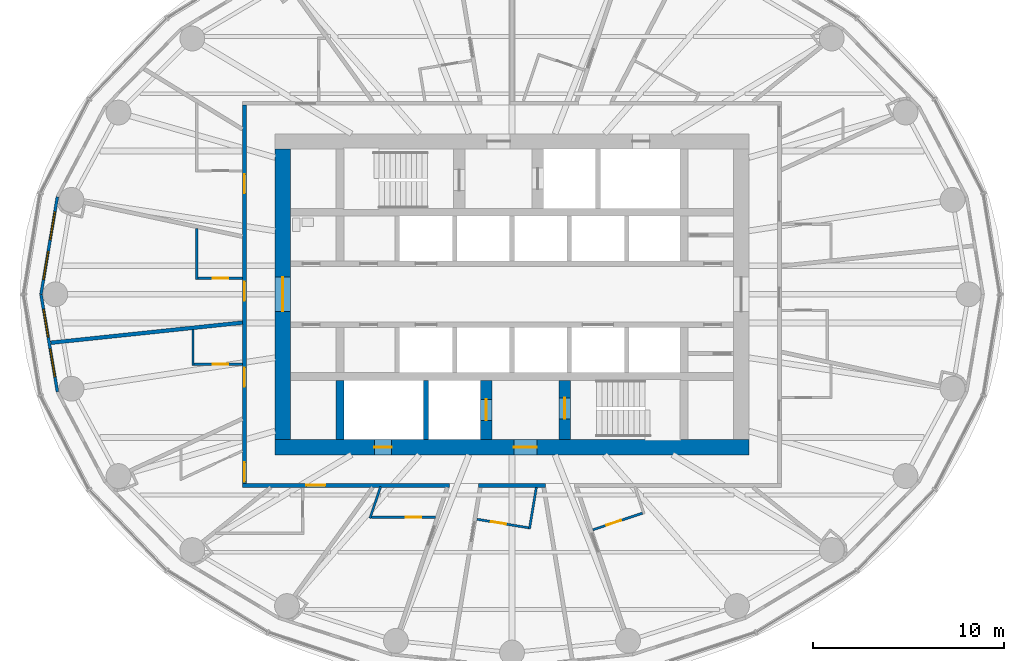
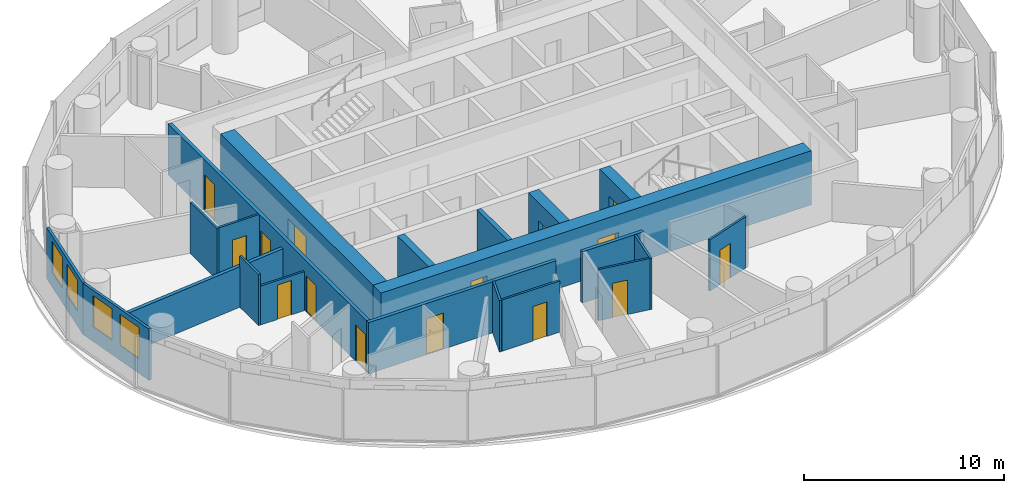
# One storey, part 7 of 14: 21 walls, 15 doors, 4 windows, 19 openings.
"""IFC4 building model written with IfcOpenShell, lengths in metres."""

from ifc_helpers import new_model, si_unit, direction, frame, frame_2d, origin, place, context, subcontext, project, spatial, rectangle, extrude, material, layer, layer_set, type_object, element, fill, save


model = new_model("IFC4")

# Units and contexts
model_context = context("Model", 3, precision=1e-05, world=origin(), true_north=direction((0.0, 1.0)))
body_context = subcontext(model_context, "Body", "Model", "MODEL_VIEW")
ifc_project = project(units=[si_unit("LENGTHUNIT", "METRE"), si_unit("AREAUNIT", "SQUARE_METRE"), si_unit("VOLUMEUNIT", "CUBIC_METRE"), si_unit("PLANEANGLEUNIT", "RADIAN"), si_unit("MASSUNIT", "GRAM", prefix="KILO")], contexts=[model_context])

# Site, building, storey
site_placement = place(None, origin())
site = spatial("IfcSite", under=ifc_project, at=site_placement, CompositionType="ELEMENT")
building_placement = place(site_placement, origin())
building = spatial("IfcBuilding", under=site, at=building_placement, Name="Hankou Lantern Tower", CompositionType="ELEMENT")
storey_placement = place(building_placement, frame((0.0, 0.0, 112.199951171875)))
storey = spatial("IfcBuildingStorey", under=building, at=storey_placement, Name="L28", CompositionType="ELEMENT", Elevation=112.199951171875)

# Wall, openings, doors
ifc_material_1 = material(Name="Concrete C60", Category="concrete")
ifc_layer_1 = layer(ifc_material_1, 0.800048828125)
ifc_layer_set_1 = layer_set([ifc_layer_1], Name="Concrete C60")
wall_type_1 = type_object("IfcWallType", Name="CW2 CORE WALL 800", PredefinedType="SHEAR", material=ifc_layer_set_1)
wall_1_placement = place(storey_placement, frame((12.39990234375, -8.0, 0.0), z_axis=(0.0, 0.0, 1.0), x_axis=(-1.0, 0.0, 0.0)))
wall_1 = element("IfcWall", 1, at=wall_1_placement, inside=storey, type_object=wall_type_1, Name="Core wall south L28", PredefinedType="SHEAR", context=body_context, shape_type="SweptSolid", body=[
    extrude(rectangle(XDim=24.7998046875, YDim=0.800048828125, at=frame_2d((12.39990234375, 0.0))), origin(), (0.0, 0.0, 1.0), 3.300048828125),
])
opening_1_placement = place(wall_1_placement, frame((11.10009765625, 0.0, 0.0)))
opening_1 = element("IfcOpeningElement", 2, at=opening_1_placement, cuts=wall_1, Name="Opening D5", PredefinedType="OPENING", context=body_context, shape_type="SweptSolid", body=[
    extrude(rectangle(XDim=1.199951171875, YDim=2.199951171875, at=frame_2d((0.60009765625, 1.10009765625))), frame((0.0, 0.409912109375, 0.0), z_axis=(0.0, -1.0, 0.0), x_axis=(1.0, 0.0, 0.0)), (0.0, 0.0, 1.0), 0.820068359375),
])
opening_2_placement = place(wall_1_placement, frame((18.699951171875, 0.0, 0.0)))
opening_2 = element("IfcOpeningElement", 3, at=opening_2_placement, cuts=wall_1, Name="Opening D7", PredefinedType="OPENING", context=body_context, shape_type="SweptSolid", body=[
    extrude(rectangle(XDim=0.89990234375, YDim=2.199951171875, at=frame_2d((0.449951171875, 1.10009765625))), frame((0.0, 0.409912109375, 0.0), z_axis=(0.0, -1.0, 0.0), x_axis=(1.0, 0.0, 0.0)), (0.0, 0.0, 1.0), 0.820068359375),
])
ifc_material_2 = material(Name="Steel door leaf", Category="steel")
door_type_1 = type_object("IfcDoorType", Name="D5 STAIR LOBBY DOOR 1200X2200", OperationType="SINGLE_SWING_LEFT", PredefinedType="DOOR", material=ifc_material_2)
door_1_placement = place(opening_1_placement, origin())
door_1 = element("IfcDoor", 4, at=door_1_placement, inside=storey, type_object=door_type_1, Name="Stair B lobby door", OperationType="SINGLE_SWING_LEFT", OverallHeight=2.199951171875, OverallWidth=1.199951171875, PredefinedType="DOOR", context=body_context, shape_type="SweptSolid", body=[
    extrude(rectangle(XDim=1.199951171875, YDim=2.199951171875, at=frame_2d((0.60009765625, 1.10009765625))), frame((0.0, 0.02490234375, 0.0), z_axis=(0.0, -1.0, 0.0), x_axis=(1.0, 0.0, 0.0)), (0.0, 0.0, 1.0), 0.050048828125),
])
fill(opening_1, door_1)
ifc_material_3 = material(Name="Steel door leaf", Category="steel")
door_type_2 = type_object("IfcDoorType", Name="D7 RISER DOOR 900X2200", OperationType="SINGLE_SWING_LEFT", PredefinedType="DOOR", material=ifc_material_3)
door_2_placement = place(opening_2_placement, origin())
door_2 = element("IfcDoor", 5, at=door_2_placement, inside=storey, type_object=door_type_2, Name="Riser S1 door", OperationType="SINGLE_SWING_RIGHT", OverallHeight=2.199951171875, OverallWidth=0.89990234375, PredefinedType="DOOR", context=body_context, shape_type="SweptSolid", body=[
    extrude(rectangle(XDim=0.89990234375, YDim=2.199951171875, at=frame_2d((0.449951171875, 1.10009765625))), frame((0.0, 0.02490234375, 0.0), z_axis=(0.0, -1.0, 0.0), x_axis=(1.0, 0.0, 0.0)), (0.0, 0.0, 1.0), 0.050048828125),
])
fill(opening_2, door_2)

# Wall, opening, door
wall_2_placement = place(storey_placement, frame((-12.0, 7.60009765625, 0.0), z_axis=(0.0, 0.0, 1.0), x_axis=(0.0, -1.0, 0.0)))
wall_2 = element("IfcWall", 6, at=wall_2_placement, inside=storey, type_object=wall_type_1, Name="Core wall west L28", PredefinedType="SHEAR", context=body_context, shape_type="SweptSolid", body=[
    extrude(rectangle(XDim=15.2001953125, YDim=0.800048828125, at=frame_2d((7.60009765625, 0.0))), origin(), (0.0, 0.0, 1.0), 3.300048828125),
])
opening_3_placement = place(wall_2_placement, frame((6.699951171875, 0.0, 0.0)))
opening_3 = element("IfcOpeningElement", 7, at=opening_3_placement, cuts=wall_2, Name="Opening D6", PredefinedType="OPENING", context=body_context, shape_type="SweptSolid", body=[
    extrude(rectangle(XDim=1.800048828125, YDim=2.199951171875, at=frame_2d((0.89990234375, 1.10009765625))), frame((0.0, 0.409912109375, 0.0), z_axis=(0.0, -1.0, 0.0), x_axis=(1.0, 0.0, 0.0)), (0.0, 0.0, 1.0), 0.820068359375),
])
ifc_material_4 = material(Name="Steel door leaf", Category="steel")
door_type_3 = type_object("IfcDoorType", Name="D6 LIFT LOBBY DOOR 1800X2200", OperationType="DOUBLE_DOOR_DOUBLE_SWING", PredefinedType="DOOR", material=ifc_material_4)
door_3_placement = place(opening_3_placement, origin())
door_3 = element("IfcDoor", 8, at=door_3_placement, inside=storey, type_object=door_type_3, Name="Lift lobby west door", OperationType="DOUBLE_DOOR_DOUBLE_SWING", OverallHeight=2.199951171875, OverallWidth=1.800048828125, PredefinedType="DOOR", context=body_context, shape_type="SweptSolid", body=[
    extrude(rectangle(XDim=1.800048828125, YDim=2.199951171875, at=frame_2d((0.89990234375, 1.10009765625))), frame((0.0, 0.02490234375, 0.0), z_axis=(0.0, -1.0, 0.0), x_axis=(1.0, 0.0, 0.0)), (0.0, 0.0, 1.0), 0.050048828125),
])
fill(opening_3, door_3)

# Wall
ifc_material_5 = material(Name="Concrete C60", Category="concrete")
ifc_layer_2 = layer(ifc_material_5, 0.39990234375)
ifc_layer_set_2 = layer_set([ifc_layer_2], Name="Concrete C60")
wall_type_2 = type_object("IfcWallType", Name="CW4 CORE CROSS WALL 400", PredefinedType="SHEAR", material=ifc_layer_set_2)
wall_3_placement = place(storey_placement, frame((-9.0, -7.60009765625, 0.0), z_axis=(0.0, 0.0, 1.0), x_axis=(0.0, 1.0, 0.0)))
element("IfcWall", 9, at=wall_3_placement, inside=storey, type_object=wall_type_2, Name="Core strip wall L28", PredefinedType="SHEAR", context=body_context, shape_type="SweptSolid", body=[
    extrude(rectangle(XDim=3.10009765625, YDim=0.39990234375, at=frame_2d((1.550048828125, 0.0))), origin(), (0.0, 0.0, 1.0), 3.300048828125),
])

# Wall, opening, door
ifc_material_6 = material(Name="Concrete C60", Category="concrete")
ifc_layer_3 = layer(ifc_material_6, 0.60009765625)
ifc_layer_set_3 = layer_set([ifc_layer_3], Name="Concrete C60")
wall_type_3 = type_object("IfcWallType", Name="CW6 STAIR AND SHAFT WALL 600", PredefinedType="SHEAR", material=ifc_layer_set_3)
wall_4_placement = place(storey_placement, frame((2.75, -7.60009765625, 0.0), z_axis=(0.0, 0.0, 1.0), x_axis=(0.0, 1.0, 0.0)))
wall_4 = element("IfcWall", 10, at=wall_4_placement, inside=storey, type_object=wall_type_3, Name="Stair wall L28", PredefinedType="SHEAR", context=body_context, shape_type="SweptSolid", body=[
    extrude(rectangle(XDim=3.10009765625, YDim=0.60009765625, at=frame_2d((1.550048828125, 0.0))), origin(), (0.0, 0.0, 1.0), 3.300048828125),
])
opening_4_placement = place(wall_4_placement, frame((1.074951171875, 0.0, 0.0)))
opening_4 = element("IfcOpeningElement", 11, at=opening_4_placement, cuts=wall_4, Name="Opening D4", PredefinedType="OPENING", context=body_context, shape_type="SweptSolid", body=[
    extrude(rectangle(XDim=1.10009765625, YDim=2.199951171875, at=frame_2d((0.550048828125, 1.10009765625))), frame((0.0, 0.31005859375, 0.0), z_axis=(0.0, -1.0, 0.0), x_axis=(1.0, 0.0, 0.0)), (0.0, 0.0, 1.0), 0.6201171875),
])
ifc_material_7 = material(Name="Steel door leaf", Category="steel")
door_type_4 = type_object("IfcDoorType", Name="D4 STAIR DOOR 1100X2200", OperationType="SINGLE_SWING_LEFT", PredefinedType="DOOR", material=ifc_material_7)
door_4_placement = place(opening_4_placement, origin())
door_4 = element("IfcDoor", 12, at=door_4_placement, inside=storey, type_object=door_type_4, Name="Stair B door", OperationType="SINGLE_SWING_RIGHT", OverallHeight=2.199951171875, OverallWidth=1.10009765625, PredefinedType="DOOR", context=body_context, shape_type="SweptSolid", body=[
    extrude(rectangle(XDim=1.10009765625, YDim=2.199951171875, at=frame_2d((0.550048828125, 1.10009765625))), frame((0.0, 0.02490234375, 0.0), z_axis=(0.0, -1.0, 0.0), x_axis=(1.0, 0.0, 0.0)), (0.0, 0.0, 1.0), 0.050048828125),
])
fill(opening_4, door_4)

wall_5_placement = place(storey_placement, frame((-1.35009765625, -7.60009765625, 0.0), z_axis=(0.0, 0.0, 1.0), x_axis=(0.0, 1.0, 0.0)))
wall_5 = element("IfcWall", 13, at=wall_5_placement, inside=storey, type_object=wall_type_3, Name="Firefighting lift shaft wall L28", PredefinedType="SHEAR", context=body_context, shape_type="SweptSolid", body=[
    extrude(rectangle(XDim=3.10009765625, YDim=0.60009765625, at=frame_2d((1.550048828125, 0.0))), origin(), (0.0, 0.0, 1.0), 3.300048828125),
])
opening_5_placement = place(wall_5_placement, frame((1.0, 0.0, 0.0)))
opening_5 = element("IfcOpeningElement", 14, at=opening_5_placement, cuts=wall_5, Name="Opening LD2", PredefinedType="OPENING", context=body_context, shape_type="SweptSolid", body=[
    extrude(rectangle(XDim=1.10009765625, YDim=2.199951171875, at=frame_2d((0.550048828125, 1.10009765625))), frame((0.0, 0.31005859375, 0.0), z_axis=(0.0, -1.0, 0.0), x_axis=(1.0, 0.0, 0.0)), (0.0, 0.0, 1.0), 0.6201171875),
])
ifc_material_8 = material(Name="Steel door leaf", Category="steel")
door_type_5 = type_object("IfcDoorType", Name="LD2 FIREFIGHTING LIFT LANDING DOOR 1100X2200", OperationType="DOUBLE_DOOR_SLIDING", PredefinedType="DOOR", material=ifc_material_8)
door_5_placement = place(opening_5_placement, origin())
door_5 = element("IfcDoor", 15, at=door_5_placement, inside=storey, type_object=door_type_5, Name="Firefighting lift FL2 landing door", OperationType="DOUBLE_DOOR_SLIDING", OverallHeight=2.199951171875, OverallWidth=1.10009765625, PredefinedType="DOOR", context=body_context, shape_type="SweptSolid", body=[
    extrude(rectangle(XDim=1.10009765625, YDim=2.199951171875, at=frame_2d((0.550048828125, 1.10009765625))), frame((0.0, 0.02490234375, 0.0), z_axis=(0.0, -1.0, 0.0), x_axis=(1.0, 0.0, 0.0)), (0.0, 0.0, 1.0), 0.050048828125),
])
fill(opening_5, door_5)

# Wall, openings, windows
ifc_material_9 = material(Name="Aluminium spandrel panel on steel studs", Category="steel")
ifc_layer_4 = layer(ifc_material_9, 0.14990234375)
ifc_layer_set_4 = layer_set([ifc_layer_4], Name="Aluminium spandrel panel on steel studs")
wall_type_4 = type_object("IfcWallType", Name="EW1 INNER SKIN WALL 150", PredefinedType="ELEMENTEDWALL", material=ifc_layer_set_4)
wall_6_placement = place(storey_placement, frame((-23.7919921875, 5.10009765625, 0.0), z_axis=(0.0, 0.0, 1.0), x_axis=(-0.165883894218, -0.986145290329, 0.0)))
wall_6 = element("IfcWall", 16, at=wall_6_placement, inside=storey, type_object=wall_type_4, Name="Inner skin R12-R13 L28", PredefinedType="ELEMENTEDWALL", context=body_context, shape_type="SweptSolid", body=[
    extrude(rectangle(XDim=5.171630859375, YDim=0.14990234375, at=frame_2d((2.5859375, 0.0))), origin(), (0.0, 0.0, 1.0), 3.1201171875),
])
opening_6_placement = place(wall_6_placement, frame((0.785888671875, 0.0, 0.89990234375)))
opening_6 = element("IfcOpeningElement", 17, at=opening_6_placement, cuts=wall_6, Name="Opening W2", PredefinedType="OPENING", context=body_context, shape_type="SweptSolid", body=[
    extrude(rectangle(XDim=1.5, YDim=1.89990234375, at=frame_2d((0.75, 0.949951171875))), frame((0.0, 0.0849609375, 0.0), z_axis=(0.0, -1.0, 0.0), x_axis=(1.0, 0.0, 0.0)), (0.0, 0.0, 1.0), 0.169921875),
])
opening_7_placement = place(wall_6_placement, frame((2.8857421875, 0.0, 0.89990234375)))
opening_7 = element("IfcOpeningElement", 18, at=opening_7_placement, cuts=wall_6, Name="Opening W2", PredefinedType="OPENING", context=body_context, shape_type="SweptSolid", body=[
    extrude(rectangle(XDim=1.5, YDim=1.89990234375, at=frame_2d((0.75, 0.949951171875))), frame((0.0, 0.0849609375, 0.0), z_axis=(0.0, -1.0, 0.0), x_axis=(1.0, 0.0, 0.0)), (0.0, 0.0, 1.0), 0.169921875),
])
ifc_material_10 = material(Name="Aluminium framed double glazed window", Category="aluminium")
window_type = type_object("IfcWindowType", Name="W2 GUEST ROOM WINDOW 1500X1900", PartitioningType="DOUBLE_PANEL_VERTICAL", PredefinedType="WINDOW", material=ifc_material_10)
window_1_placement = place(opening_6_placement, origin())
window_1 = element("IfcWindow", 19, at=window_1_placement, inside=storey, type_object=window_type, Name="Window R12.1 L28", OverallHeight=1.89990234375, OverallWidth=1.5, PartitioningType="SINGLE_PANEL", PredefinedType="WINDOW", context=body_context, shape_type="SweptSolid", body=[
    extrude(rectangle(XDim=1.5, YDim=1.89990234375, at=frame_2d((0.75, 0.949951171875))), frame((0.0, 0.030029296875, 0.0), z_axis=(0.0, -1.0, 0.0), x_axis=(1.0, 0.0, 0.0)), (0.0, 0.0, 1.0), 0.06005859375),
])
fill(opening_6, window_1)
window_2_placement = place(opening_7_placement, origin())
window_2 = element("IfcWindow", 20, at=window_2_placement, inside=storey, type_object=window_type, Name="Window R12.2 L28", OverallHeight=1.89990234375, OverallWidth=1.5, PartitioningType="SINGLE_PANEL", PredefinedType="WINDOW", context=body_context, shape_type="SweptSolid", body=[
    extrude(rectangle(XDim=1.5, YDim=1.89990234375, at=frame_2d((0.75, 0.949951171875))), frame((0.0, 0.030029296875, 0.0), z_axis=(0.0, -1.0, 0.0), x_axis=(1.0, 0.0, 0.0)), (0.0, 0.0, 1.0), 0.06005859375),
])
fill(opening_7, window_2)

wall_7_placement = place(storey_placement, frame((-24.64990234375, 0.0, 0.0), z_axis=(0.0, 0.0, 1.0), x_axis=(0.165883894218, -0.986145290329, 0.0)))
wall_7 = element("IfcWall", 21, at=wall_7_placement, inside=storey, type_object=wall_type_4, Name="Inner skin R13-R14 L28", PredefinedType="ELEMENTEDWALL", context=body_context, shape_type="SweptSolid", body=[
    extrude(rectangle(XDim=5.171630859375, YDim=0.14990234375, at=frame_2d((2.5859375, 0.0))), origin(), (0.0, 0.0, 1.0), 3.1201171875),
])
opening_8_placement = place(wall_7_placement, frame((0.785888671875, 0.0, 0.89990234375)))
opening_8 = element("IfcOpeningElement", 22, at=opening_8_placement, cuts=wall_7, Name="Opening W2", PredefinedType="OPENING", context=body_context, shape_type="SweptSolid", body=[
    extrude(rectangle(XDim=1.5, YDim=1.89990234375, at=frame_2d((0.75, 0.949951171875))), frame((0.0, 0.0849609375, 0.0), z_axis=(0.0, -1.0, 0.0), x_axis=(1.0, 0.0, 0.0)), (0.0, 0.0, 1.0), 0.169921875),
])
opening_9_placement = place(wall_7_placement, frame((2.8857421875, 0.0, 0.89990234375)))
opening_9 = element("IfcOpeningElement", 23, at=opening_9_placement, cuts=wall_7, Name="Opening W2", PredefinedType="OPENING", context=body_context, shape_type="SweptSolid", body=[
    extrude(rectangle(XDim=1.5, YDim=1.89990234375, at=frame_2d((0.75, 0.949951171875))), frame((0.0, 0.0849609375, 0.0), z_axis=(0.0, -1.0, 0.0), x_axis=(1.0, 0.0, 0.0)), (0.0, 0.0, 1.0), 0.169921875),
])
window_3_placement = place(opening_8_placement, origin())
window_3 = element("IfcWindow", 24, at=window_3_placement, inside=storey, type_object=window_type, Name="Window R13.1 L28", OverallHeight=1.89990234375, OverallWidth=1.5, PartitioningType="SINGLE_PANEL", PredefinedType="WINDOW", context=body_context, shape_type="SweptSolid", body=[
    extrude(rectangle(XDim=1.5, YDim=1.89990234375, at=frame_2d((0.75, 0.949951171875))), frame((0.0, 0.030029296875, 0.0), z_axis=(0.0, -1.0, 0.0), x_axis=(1.0, 0.0, 0.0)), (0.0, 0.0, 1.0), 0.06005859375),
])
fill(opening_8, window_3)
window_4_placement = place(opening_9_placement, origin())
window_4 = element("IfcWindow", 25, at=window_4_placement, inside=storey, type_object=window_type, Name="Window R13.2 L28", OverallHeight=1.89990234375, OverallWidth=1.5, PartitioningType="SINGLE_PANEL", PredefinedType="WINDOW", context=body_context, shape_type="SweptSolid", body=[
    extrude(rectangle(XDim=1.5, YDim=1.89990234375, at=frame_2d((0.75, 0.949951171875))), frame((0.0, 0.030029296875, 0.0), z_axis=(0.0, -1.0, 0.0), x_axis=(1.0, 0.0, 0.0)), (0.0, 0.0, 1.0), 0.06005859375),
])
fill(opening_9, window_4)

# Wall
ifc_material_11 = material(Name="Masonry lightweight concrete block", Category="masonry")
ifc_layer_5 = layer(ifc_material_11, 0.199951171875)
ifc_layer_set_5 = layer_set([ifc_layer_5], Name="Masonry lightweight concrete block")
wall_type_5 = type_object("IfcWallType", Name="IW1 GUEST ROOM PARTY WALL 200", PredefinedType="PARTITIONING", material=ifc_layer_set_5)
wall_8_placement = place(storey_placement, frame((-14.10009765625, -1.481689453125, 0.0), z_axis=(0.0, 0.0, 1.0), x_axis=(-0.994523202615, -0.104516024894, 0.0)))
element("IfcWall", 26, at=wall_8_placement, inside=storey, type_object=wall_type_5, Name="Party wall R13-R14", PredefinedType="PARTITIONING", context=body_context, shape_type="SweptSolid", body=[
    extrude(rectangle(XDim=10.091064453125, YDim=0.199951171875, at=frame_2d((5.04541015625, 0.0))), origin(), (0.0, 0.0, 1.0), 2.469970703125),
])

# Wall, openings, doors
ifc_material_12 = material(Name="Masonry lightweight concrete block", Category="masonry")
ifc_layer_6 = layer(ifc_material_12, 0.199951171875)
ifc_layer_set_6 = layer_set([ifc_layer_6], Name="Masonry lightweight concrete block")
wall_type_6 = type_object("IfcWallType", Name="IW2 CORRIDOR WALL 200", PredefinedType="PARTITIONING", material=ifc_layer_set_6)
wall_9_placement = place(storey_placement, frame((-14.0, 9.89990234375, 0.0), z_axis=(0.0, 0.0, 1.0), x_axis=(0.0, -1.0, 0.0)))
wall_9 = element("IfcWall", 27, at=wall_9_placement, inside=storey, type_object=wall_type_6, Name="Corridor wall west", PredefinedType="PARTITIONING", context=body_context, shape_type="SweptSolid", body=[
    extrude(rectangle(XDim=19.7998046875, YDim=0.199951171875, at=frame_2d((9.89990234375, 0.0))), origin(), (0.0, 0.0, 1.0), 3.1201171875),
])
opening_10_placement = place(wall_9_placement, frame((3.622314453125, 0.0, 0.0)))
opening_10 = element("IfcOpeningElement", 28, at=opening_10_placement, cuts=wall_9, Name="Opening D1", PredefinedType="OPENING", context=body_context, shape_type="SweptSolid", body=[
    extrude(rectangle(XDim=1.0, YDim=2.199951171875, at=frame_2d((0.5, 1.10009765625))), frame((0.0, 0.10986328125, 0.0), z_axis=(0.0, -1.0, 0.0), x_axis=(1.0, 0.0, 0.0)), (0.0, 0.0, 1.0), 0.219970703125),
])
opening_11_placement = place(wall_9_placement, frame((9.237548828125, 0.0, 0.0)))
opening_11 = element("IfcOpeningElement", 29, at=opening_11_placement, cuts=wall_9, Name="Opening D1", PredefinedType="OPENING", context=body_context, shape_type="SweptSolid", body=[
    extrude(rectangle(XDim=1.0, YDim=2.199951171875, at=frame_2d((0.5, 1.10009765625))), frame((0.0, 0.10986328125, 0.0), z_axis=(0.0, -1.0, 0.0), x_axis=(1.0, 0.0, 0.0)), (0.0, 0.0, 1.0), 0.219970703125),
])
opening_12_placement = place(wall_9_placement, frame((13.74169921875, 0.0, 0.0)))
opening_12 = element("IfcOpeningElement", 30, at=opening_12_placement, cuts=wall_9, Name="Opening D1", PredefinedType="OPENING", context=body_context, shape_type="SweptSolid", body=[
    extrude(rectangle(XDim=1.0, YDim=2.199951171875, at=frame_2d((0.5, 1.10009765625))), frame((0.0, 0.10986328125, 0.0), z_axis=(0.0, -1.0, 0.0), x_axis=(1.0, 0.0, 0.0)), (0.0, 0.0, 1.0), 0.219970703125),
])
opening_13_placement = place(wall_9_placement, frame((18.697509765625, 0.0, 0.0)))
opening_13 = element("IfcOpeningElement", 31, at=opening_13_placement, cuts=wall_9, Name="Opening D1", PredefinedType="OPENING", context=body_context, shape_type="SweptSolid", body=[
    extrude(rectangle(XDim=1.0, YDim=2.199951171875, at=frame_2d((0.5, 1.10009765625))), frame((0.0, 0.10986328125, 0.0), z_axis=(0.0, -1.0, 0.0), x_axis=(1.0, 0.0, 0.0)), (0.0, 0.0, 1.0), 0.219970703125),
])
ifc_material_13 = material(Name="Steel door leaf", Category="steel")
door_type_6 = type_object("IfcDoorType", Name="D1 GUEST ROOM DOOR 1000X2200", OperationType="SINGLE_SWING_LEFT", PredefinedType="DOOR", material=ifc_material_13)
door_6_placement = place(opening_10_placement, origin())
door_6 = element("IfcDoor", 32, at=door_6_placement, inside=storey, type_object=door_type_6, Name="Guest room door 2806", OperationType="SINGLE_SWING_LEFT", OverallHeight=2.199951171875, OverallWidth=1.0, PredefinedType="DOOR", context=body_context, shape_type="SweptSolid", body=[
    extrude(rectangle(XDim=1.0, YDim=2.199951171875, at=frame_2d((0.5, 1.10009765625))), frame((0.0, 0.02490234375, 0.0), z_axis=(0.0, -1.0, 0.0), x_axis=(1.0, 0.0, 0.0)), (0.0, 0.0, 1.0), 0.050048828125),
])
fill(opening_10, door_6)
door_7_placement = place(opening_11_placement, origin())
door_7 = element("IfcDoor", 33, at=door_7_placement, inside=storey, type_object=door_type_6, Name="Guest room door 2807", OperationType="SINGLE_SWING_LEFT", OverallHeight=2.199951171875, OverallWidth=1.0, PredefinedType="DOOR", context=body_context, shape_type="SweptSolid", body=[
    extrude(rectangle(XDim=1.0, YDim=2.199951171875, at=frame_2d((0.5, 1.10009765625))), frame((0.0, 0.02490234375, 0.0), z_axis=(0.0, -1.0, 0.0), x_axis=(1.0, 0.0, 0.0)), (0.0, 0.0, 1.0), 0.050048828125),
])
fill(opening_11, door_7)
door_8_placement = place(opening_12_placement, origin())
door_8 = element("IfcDoor", 34, at=door_8_placement, inside=storey, type_object=door_type_6, Name="Guest room door 2808", OperationType="SINGLE_SWING_RIGHT", OverallHeight=2.199951171875, OverallWidth=1.0, PredefinedType="DOOR", context=body_context, shape_type="SweptSolid", body=[
    extrude(rectangle(XDim=1.0, YDim=2.199951171875, at=frame_2d((0.5, 1.10009765625))), frame((0.0, 0.02490234375, 0.0), z_axis=(0.0, -1.0, 0.0), x_axis=(1.0, 0.0, 0.0)), (0.0, 0.0, 1.0), 0.050048828125),
])
fill(opening_12, door_8)
door_9_placement = place(opening_13_placement, origin())
door_9 = element("IfcDoor", 35, at=door_9_placement, inside=storey, type_object=door_type_6, Name="Guest room door 2809", OperationType="SINGLE_SWING_RIGHT", OverallHeight=2.199951171875, OverallWidth=1.0, PredefinedType="DOOR", context=body_context, shape_type="SweptSolid", body=[
    extrude(rectangle(XDim=1.0, YDim=2.199951171875, at=frame_2d((0.5, 1.10009765625))), frame((0.0, 0.02490234375, 0.0), z_axis=(0.0, -1.0, 0.0), x_axis=(1.0, 0.0, 0.0)), (0.0, 0.0, 1.0), 0.050048828125),
])
fill(opening_13, door_9)

# Wall
wall_10_placement = place(storey_placement, frame((1.76513671875, -10.0, 0.0), z_axis=(0.0, 0.0, 1.0), x_axis=(-1.0, 0.0, 0.0)))
element("IfcWall", 36, at=wall_10_placement, inside=storey, type_object=wall_type_6, Name="Corridor wall south", PredefinedType="PARTITIONING", context=body_context, shape_type="SweptSolid", body=[
    extrude(rectangle(XDim=3.5302734375, YDim=0.199951171875, at=frame_2d((1.76513671875, 0.0))), origin(), (0.0, 0.0, 1.0), 3.1201171875),
])

# Wall, opening, door
wall_11_placement = place(storey_placement, frame((-3.282958984375, -10.0, 0.0), z_axis=(0.0, 0.0, 1.0), x_axis=(-1.0, 0.0, 0.0)))
wall_11 = element("IfcWall", 37, at=wall_11_placement, inside=storey, type_object=wall_type_6, Name="Corridor wall south", PredefinedType="PARTITIONING", context=body_context, shape_type="SweptSolid", body=[
    extrude(rectangle(XDim=10.817138671875, YDim=0.199951171875, at=frame_2d((5.40869140625, 0.0))), origin(), (0.0, 0.0, 1.0), 3.1201171875),
])
opening_14_placement = place(wall_11_placement, frame((6.482177734375, 0.0, 0.0)))
opening_14 = element("IfcOpeningElement", 38, at=opening_14_placement, cuts=wall_11, Name="Opening D1", PredefinedType="OPENING", context=body_context, shape_type="SweptSolid", body=[
    extrude(rectangle(XDim=1.0, YDim=2.199951171875, at=frame_2d((0.5, 1.10009765625))), frame((0.0, 0.10986328125, 0.0), z_axis=(0.0, -1.0, 0.0), x_axis=(1.0, 0.0, 0.0)), (0.0, 0.0, 1.0), 0.219970703125),
])
door_10_placement = place(opening_14_placement, origin())
door_10 = element("IfcDoor", 39, at=door_10_placement, inside=storey, type_object=door_type_6, Name="Guest room door 2810", OperationType="SINGLE_SWING_RIGHT", OverallHeight=2.199951171875, OverallWidth=1.0, PredefinedType="DOOR", context=body_context, shape_type="SweptSolid", body=[
    extrude(rectangle(XDim=1.0, YDim=2.199951171875, at=frame_2d((0.5, 1.10009765625))), frame((0.0, 0.02490234375, 0.0), z_axis=(0.0, -1.0, 0.0), x_axis=(1.0, 0.0, 0.0)), (0.0, 0.0, 1.0), 0.050048828125),
])
fill(opening_14, door_10)

# Wall
ifc_material_14 = material(Name="Masonry lightweight concrete block", Category="masonry")
ifc_layer_7 = layer(ifc_material_14, 0.1201171875)
ifc_layer_set_7 = layer_set([ifc_layer_7], Name="Masonry lightweight concrete block")
wall_type_7 = type_object("IfcWallType", Name="IW3 BATHROOM WALL 120", PredefinedType="PARTITIONING", material=ifc_layer_set_7)
wall_12_placement = place(storey_placement, frame((-16.5, 3.43701171875, 0.0), z_axis=(0.0, 0.0, 1.0), x_axis=(0.0, -1.0, 0.0)))
element("IfcWall", 40, at=wall_12_placement, inside=storey, type_object=wall_type_7, Name="Box wall 2807 1", PredefinedType="PARTITIONING", context=body_context, shape_type="SweptSolid", body=[
    extrude(rectangle(XDim=2.654541015625, YDim=0.1201171875, at=frame_2d((1.3271484375, 0.0))), origin(), (0.0, 0.0, 1.0), 3.1201171875),
])

# Wall, opening, door
wall_13_placement = place(storey_placement, frame((-14.10009765625, 0.842529296875, 0.0), z_axis=(0.0, 0.0, 1.0), x_axis=(-1.0, 0.0, 0.0)))
wall_13 = element("IfcWall", 41, at=wall_13_placement, inside=storey, type_object=wall_type_7, Name="Box wall 2807 1", PredefinedType="PARTITIONING", context=body_context, shape_type="SweptSolid", body=[
    extrude(rectangle(XDim=2.33984375, YDim=0.1201171875, at=frame_2d((1.169921875, 0.0))), origin(), (0.0, 0.0, 1.0), 3.1201171875),
])
opening_15_placement = place(wall_13_placement, frame((0.75, 0.0, 0.0)))
opening_15 = element("IfcOpeningElement", 42, at=opening_15_placement, cuts=wall_13, Name="Opening D3", PredefinedType="OPENING", context=body_context, shape_type="SweptSolid", body=[
    extrude(rectangle(XDim=0.800048828125, YDim=2.10009765625, at=frame_2d((0.39990234375, 1.050048828125))), frame((0.0, 0.070068359375, 0.0), z_axis=(0.0, -1.0, 0.0), x_axis=(1.0, 0.0, 0.0)), (0.0, 0.0, 1.0), 0.14013671875),
])
ifc_material_15 = material(Name="Timber door leaf", Category="wood")
door_type_7 = type_object("IfcDoorType", Name="D3 BATHROOM DOOR 800X2100", OperationType="SINGLE_SWING_LEFT", PredefinedType="DOOR", material=ifc_material_15)
door_11_placement = place(opening_15_placement, origin())
door_11 = element("IfcDoor", 43, at=door_11_placement, inside=storey, type_object=door_type_7, Name="En-suite bathroom 2807 door", OperationType="SINGLE_SWING_LEFT", OverallHeight=2.10009765625, OverallWidth=0.800048828125, PredefinedType="DOOR", context=body_context, shape_type="SweptSolid", body=[
    extrude(rectangle(XDim=0.800048828125, YDim=2.10009765625, at=frame_2d((0.39990234375, 1.050048828125))), frame((0.0, 0.02490234375, 0.0), z_axis=(0.0, -1.0, 0.0), x_axis=(1.0, 0.0, 0.0)), (0.0, 0.0, 1.0), 0.050048828125),
])
fill(opening_15, door_11)

# Wall
wall_14_placement = place(storey_placement, frame((-16.699951171875, -1.85498046875, 0.0), z_axis=(0.0, 0.0, 1.0), x_axis=(0.0, -1.0, 0.0)))
element("IfcWall", 44, at=wall_14_placement, inside=storey, type_object=wall_type_7, Name="Box wall 2808 1", PredefinedType="PARTITIONING", context=body_context, shape_type="SweptSolid", body=[
    extrude(rectangle(XDim=1.86669921875, YDim=0.1201171875, at=frame_2d((0.933349609375, 0.0))), origin(), (0.0, 0.0, 1.0), 3.1201171875),
])

# Wall, opening, door
wall_15_placement = place(storey_placement, frame((-14.10009765625, -3.661865234375, 0.0), z_axis=(0.0, 0.0, 1.0), x_axis=(-1.0, 0.0, 0.0)))
wall_15 = element("IfcWall", 45, at=wall_15_placement, inside=storey, type_object=wall_type_7, Name="Box wall 2808 1", PredefinedType="PARTITIONING", context=body_context, shape_type="SweptSolid", body=[
    extrude(rectangle(XDim=2.539794921875, YDim=0.1201171875, at=frame_2d((1.27001953125, 0.0))), origin(), (0.0, 0.0, 1.0), 2.3701171875),
])
opening_16_placement = place(wall_15_placement, frame((0.75, 0.0, 0.0)))
opening_16 = element("IfcOpeningElement", 46, at=opening_16_placement, cuts=wall_15, Name="Opening D3", PredefinedType="OPENING", context=body_context, shape_type="SweptSolid", body=[
    extrude(rectangle(XDim=0.800048828125, YDim=2.10009765625, at=frame_2d((0.39990234375, 1.050048828125))), frame((0.0, 0.070068359375, 0.0), z_axis=(0.0, -1.0, 0.0), x_axis=(1.0, 0.0, 0.0)), (0.0, 0.0, 1.0), 0.14013671875),
])
door_12_placement = place(opening_16_placement, origin())
door_12 = element("IfcDoor", 47, at=door_12_placement, inside=storey, type_object=door_type_7, Name="En-suite bathroom 2808 door", OperationType="SINGLE_SWING_LEFT", OverallHeight=2.10009765625, OverallWidth=0.800048828125, PredefinedType="DOOR", context=body_context, shape_type="SweptSolid", body=[
    extrude(rectangle(XDim=0.800048828125, YDim=2.10009765625, at=frame_2d((0.39990234375, 1.050048828125))), frame((0.0, 0.02490234375, 0.0), z_axis=(0.0, -1.0, 0.0), x_axis=(1.0, 0.0, 0.0)), (0.0, 0.0, 1.0), 0.050048828125),
])
fill(opening_16, door_12)

# Wall
wall_16_placement = place(storey_placement, frame((-6.877685546875, -10.068359375, 0.0), z_axis=(0.0, 0.0, 1.0), x_axis=(-0.317532394508, -0.948247424694, 0.0)))
element("IfcWall", 48, at=wall_16_placement, inside=storey, type_object=wall_type_7, Name="Box wall 2811 1", PredefinedType="PARTITIONING", context=body_context, shape_type="SweptSolid", body=[
    extrude(rectangle(XDim=1.739990234375, YDim=0.1201171875, at=frame_2d((0.8701171875, 0.0))), origin(), (0.0, 0.0, 1.0), 3.1201171875),
])

# Wall, opening, door
wall_17_placement = place(storey_placement, frame((-4.01123046875, -11.661376953125, 0.0), z_axis=(0.0, 0.0, 1.0), x_axis=(-1.0, 0.0, 0.0)))
wall_17 = element("IfcWall", 49, at=wall_17_placement, inside=storey, type_object=wall_type_7, Name="Box wall 2811 1", PredefinedType="PARTITIONING", context=body_context, shape_type="SweptSolid", body=[
    extrude(rectangle(XDim=3.340087890625, YDim=0.1201171875, at=frame_2d((1.669921875, 0.0))), origin(), (0.0, 0.0, 1.0), 3.1201171875),
])
opening_17_placement = place(wall_17_placement, frame((0.75, 0.0, 0.0)))
opening_17 = element("IfcOpeningElement", 50, at=opening_17_placement, cuts=wall_17, Name="Opening D3", PredefinedType="OPENING", context=body_context, shape_type="SweptSolid", body=[
    extrude(rectangle(XDim=0.800048828125, YDim=2.10009765625, at=frame_2d((0.39990234375, 1.050048828125))), frame((0.0, 0.070068359375, 0.0), z_axis=(0.0, -1.0, 0.0), x_axis=(1.0, 0.0, 0.0)), (0.0, 0.0, 1.0), 0.14013671875),
])
door_13_placement = place(opening_17_placement, origin())
door_13 = element("IfcDoor", 51, at=door_13_placement, inside=storey, type_object=door_type_7, Name="En-suite bathroom 2811 door", OperationType="SINGLE_SWING_LEFT", OverallHeight=2.10009765625, OverallWidth=0.800048828125, PredefinedType="DOOR", context=body_context, shape_type="SweptSolid", body=[
    extrude(rectangle(XDim=0.800048828125, YDim=2.10009765625, at=frame_2d((0.39990234375, 1.050048828125))), frame((0.0, 0.02490234375, 0.0), z_axis=(0.0, -1.0, 0.0), x_axis=(1.0, 0.0, 0.0)), (0.0, 0.0, 1.0), 0.050048828125),
])
fill(opening_17, door_13)

# Wall
wall_18_placement = place(storey_placement, frame((1.271240234375, -10.1162109375, 0.0), z_axis=(0.0, 0.0, 1.0), x_axis=(-0.162672481395, -0.986680122328, 0.0)))
element("IfcWall", 52, at=wall_18_placement, inside=storey, type_object=wall_type_7, Name="Box wall 2813 1", PredefinedType="PARTITIONING", context=body_context, shape_type="SweptSolid", body=[
    extrude(rectangle(XDim=2.20166015625, YDim=0.1201171875, at=frame_2d((1.100830078125, 0.0))), origin(), (0.0, 0.0, 1.0), 3.1201171875),
])

# Wall, opening, door
wall_19_placement = place(storey_placement, frame((-1.83984375, -11.77392578125, 0.0), z_axis=(0.0, 0.0, 1.0), x_axis=(0.986676602341, -0.162693830222, 0.0)))
wall_19 = element("IfcWall", 53, at=wall_19_placement, inside=storey, type_object=wall_type_7, Name="Box wall 2813 1", PredefinedType="PARTITIONING", context=body_context, shape_type="SweptSolid", body=[
    extrude(rectangle(XDim=2.740234375, YDim=0.1201171875, at=frame_2d((1.3701171875, 0.0))), origin(), (0.0, 0.0, 1.0), 3.1201171875),
])
opening_18_placement = place(wall_19_placement, frame((0.75, 0.0, 0.0)))
opening_18 = element("IfcOpeningElement", 54, at=opening_18_placement, cuts=wall_19, Name="Opening D3", PredefinedType="OPENING", context=body_context, shape_type="SweptSolid", body=[
    extrude(rectangle(XDim=0.800048828125, YDim=2.10009765625, at=frame_2d((0.39990234375, 1.050048828125))), frame((0.0, 0.070068359375, 0.0), z_axis=(0.0, -1.0, 0.0), x_axis=(1.0, 0.0, 0.0)), (0.0, 0.0, 1.0), 0.14013671875),
])
door_14_placement = place(opening_18_placement, origin())
door_14 = element("IfcDoor", 55, at=door_14_placement, inside=storey, type_object=door_type_7, Name="En-suite bathroom 2813 door", OperationType="SINGLE_SWING_LEFT", OverallHeight=2.10009765625, OverallWidth=0.800048828125, PredefinedType="DOOR", context=body_context, shape_type="SweptSolid", body=[
    extrude(rectangle(XDim=0.800048828125, YDim=2.10009765625, at=frame_2d((0.39990234375, 1.050048828125))), frame((0.0, 0.02490234375, 0.0), z_axis=(0.0, -1.0, 0.0), x_axis=(1.0, 0.0, 0.0)), (0.0, 0.0, 1.0), 0.050048828125),
])
fill(opening_18, door_14)

wall_20_placement = place(storey_placement, frame((4.233642578125, -12.324951171875, 0.0), z_axis=(0.0, 0.0, 1.0), x_axis=(0.948236840279, 0.317564001011, 0.0)))
wall_20 = element("IfcWall", 56, at=wall_20_placement, inside=storey, type_object=wall_type_7, Name="Box wall 2815 1", PredefinedType="PARTITIONING", context=body_context, shape_type="SweptSolid", body=[
    extrude(rectangle(XDim=2.739990234375, YDim=0.1201171875, at=frame_2d((1.3701171875, 0.0))), origin(), (0.0, 0.0, 1.0), 3.1201171875),
])
opening_19_placement = place(wall_20_placement, frame((0.75, 0.0, 0.0)))
opening_19 = element("IfcOpeningElement", 57, at=opening_19_placement, cuts=wall_20, Name="Opening D3", PredefinedType="OPENING", context=body_context, shape_type="SweptSolid", body=[
    extrude(rectangle(XDim=0.800048828125, YDim=2.10009765625, at=frame_2d((0.39990234375, 1.050048828125))), frame((0.0, 0.070068359375, 0.0), z_axis=(0.0, -1.0, 0.0), x_axis=(1.0, 0.0, 0.0)), (0.0, 0.0, 1.0), 0.14013671875),
])
door_15_placement = place(opening_19_placement, origin())
door_15 = element("IfcDoor", 58, at=door_15_placement, inside=storey, type_object=door_type_7, Name="Junior suite 2815 bathroom door", OperationType="SINGLE_SWING_LEFT", OverallHeight=2.10009765625, OverallWidth=0.800048828125, PredefinedType="DOOR", context=body_context, shape_type="SweptSolid", body=[
    extrude(rectangle(XDim=0.800048828125, YDim=2.10009765625, at=frame_2d((0.39990234375, 1.050048828125))), frame((0.0, 0.02490234375, 0.0), z_axis=(0.0, -1.0, 0.0), x_axis=(1.0, 0.0, 0.0)), (0.0, 0.0, 1.0), 0.050048828125),
])
fill(opening_19, door_15)

# Wall
ifc_material_16 = material(Name="Masonry autoclaved aerated concrete block", Category="masonry")
ifc_layer_8 = layer(ifc_material_16, 0.25)
ifc_layer_set_8 = layer_set([ifc_layer_8], Name="Masonry autoclaved aerated concrete block")
wall_type_8 = type_object("IfcWallType", Name="SW1 SHAFT BLOCK WALL 250", PredefinedType="PARTITIONING", material=ifc_layer_set_8)
wall_21_placement = place(storey_placement, frame((-4.5, -7.60009765625, 0.0), z_axis=(0.0, 0.0, 1.0), x_axis=(0.0, 1.0, 0.0)))
element("IfcWall", 59, at=wall_21_placement, inside=storey, type_object=wall_type_8, Name="Riser wall L28", PredefinedType="PARTITIONING", context=body_context, shape_type="SweptSolid", body=[
    extrude(rectangle(XDim=3.10009765625, YDim=0.25, at=frame_2d((1.550048828125, 0.0))), origin(), (0.0, 0.0, 1.0), 3.300048828125),
])

save(model, "model.ifc")
